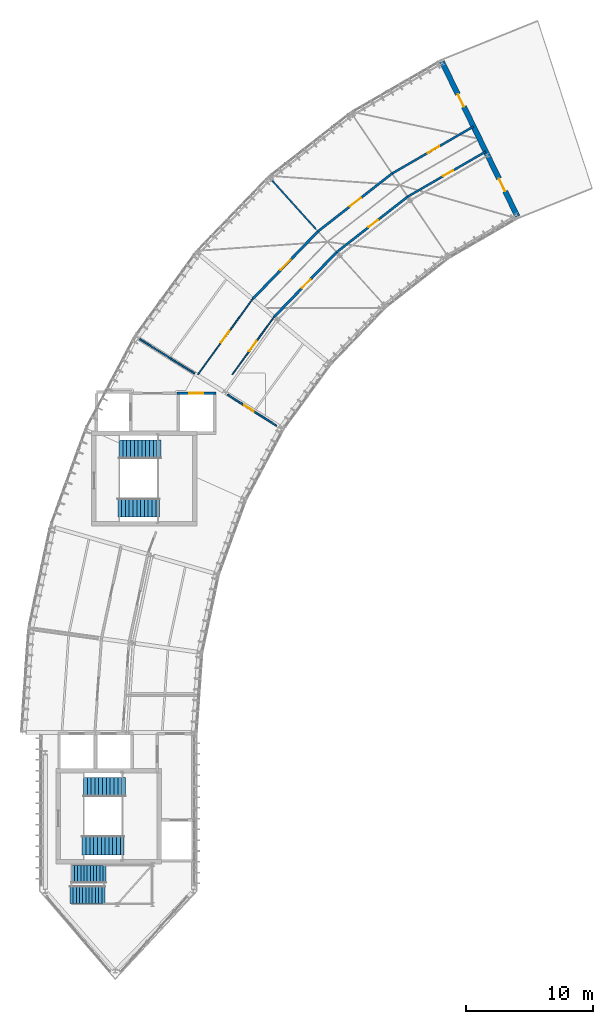
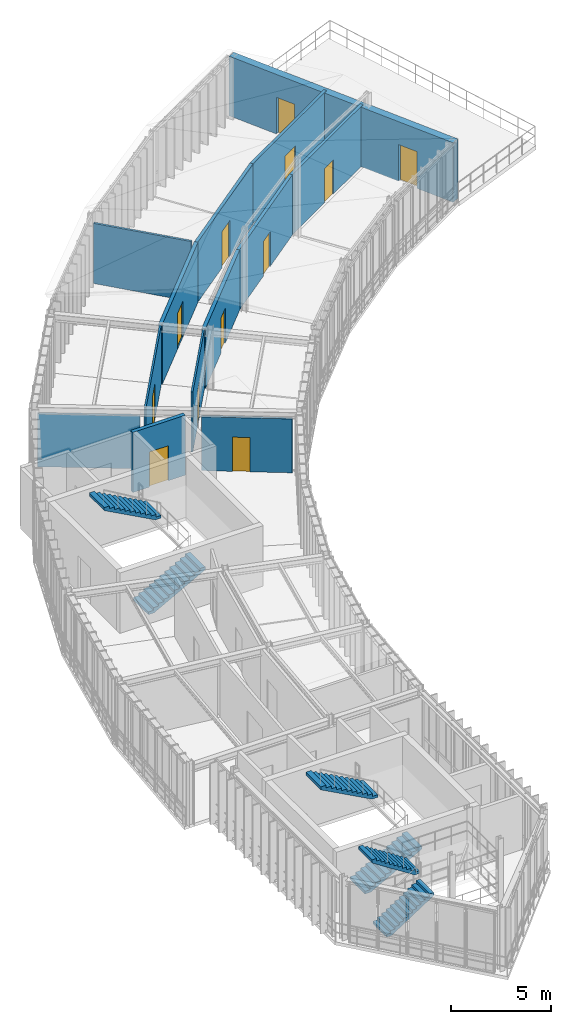
# One storey, part 19 of 25: 13 walls, 12 doors, 6 stair flights, 12 openings, 3 elements without a shape of their own.
"""IFC4 building model written with IfcOpenShell, lengths in metres."""

import ifcopenshell
import ifcopenshell.guid

model = None  # the IFC model being written
_history = None  # IfcOwnerHistory: only IFC2X3 demands one
_inside = {}  # id of a spatial element -> (the spatial element, [elements in it])
_under = {}  # id of a project, library or spatial element -> (it, [spatial elements below it])
_declared = {}  # id of a project -> (the project, [libraries it declares])
_typed = {}  # id of a type object -> (the type object, [elements of that type])
_made_of = {}  # id of a material, layer set ... -> (it, [elements and type objects made of it])


def new_model(schema):
    """Start an empty IFC model of exactly this schema.

    Asked for "IFC4X3", IfcOpenShell would pick the latest addendum, in which some entities
    have other attributes; the version numbers below select the first issue.
    IFC2X3 requires an IfcOwnerHistory on every rooted entity: one is made here for all.
    """
    global model, _history
    if schema == "IFC4X3":
        model = ifcopenshell.file(schema_version=(4, 3, 0, 0))
    else:
        model = ifcopenshell.file(schema=schema)
    _inside.clear()
    _under.clear()
    _declared.clear()
    _typed.clear()
    _made_of.clear()
    _history = None
    if model.schema == "IFC2X3":
        org = make("IfcOrganization", Name="unknown")
        user = make(
            "IfcPersonAndOrganization",
            ThePerson=make("IfcPerson", FamilyName="unknown"),
            TheOrganization=org,
        )
        app = make(
            "IfcApplication",
            ApplicationDeveloper=org,
            Version="unknown",
            ApplicationFullName="unknown",
            ApplicationIdentifier="unknown",
        )
        _history = make(
            "IfcOwnerHistory",
            OwningUser=user,
            OwningApplication=app,
            ChangeAction="ADDED",
            CreationDate=0,
        )
    return model


def make(cls, **values):
    """One entity of the class cls with the attributes given. An attribute that is None is left unset."""
    return model.create_entity(
        cls, **{name: value for name, value in values.items() if value is not None}
    )


def rooted(cls, **values):
    """An entity with a GlobalId (a new one), such as an element, a storey or a relation."""
    return make(cls, GlobalId=ifcopenshell.guid.new(), OwnerHistory=_history, **values)


def si_unit(unit_type, name, prefix=None):
    """IfcSIUnit, for example si_unit("LENGTHUNIT", "METRE", prefix="MILLI")."""
    return make("IfcSIUnit", UnitType=unit_type, Prefix=prefix, Name=name)


def assignment(units):
    """IfcUnitAssignment: the units of a project."""
    return None if units is None else make("IfcUnitAssignment", Units=units)


def point(xyz):
    """IfcCartesianPoint."""
    return None if xyz is None else make("IfcCartesianPoint", Coordinates=xyz)


def direction(xyz):
    """IfcDirection."""
    return None if xyz is None else make("IfcDirection", DirectionRatios=xyz)


def frame(location, z_axis=None, x_axis=None):
    """IfcAxis2Placement3D, a coordinate frame: its origin and axes. An axis left out is left unset."""
    return make(
        "IfcAxis2Placement3D",
        Location=point(location),
        Axis=direction(z_axis),
        RefDirection=direction(x_axis),
    )


def frame_2d(location, x_axis=None):
    """IfcAxis2Placement2D, a coordinate frame in the plane: its origin and x axis."""
    return make(
        "IfcAxis2Placement2D", Location=point(location), RefDirection=direction(x_axis)
    )


def origin():
    """The frame at (0, 0, 0) with its axes left unset."""
    return frame((0.0, 0.0, 0.0))


def place(relative_to, where):
    """IfcLocalPlacement: puts the frame where relative to a parent placement (None: the world)."""
    return make(
        "IfcLocalPlacement", PlacementRelTo=relative_to, RelativePlacement=where
    )


def context(
    kind, dimensions, precision=None, world=None, true_north=None, identifier=None
):
    """IfcGeometricRepresentationContext, for example the 3D "Model" context."""
    return make(
        "IfcGeometricRepresentationContext",
        ContextIdentifier=identifier,
        ContextType=kind,
        CoordinateSpaceDimension=dimensions,
        Precision=precision,
        WorldCoordinateSystem=world,
        TrueNorth=true_north,
    )


def subcontext(parent, identifier, kind, view, scale=None):
    """IfcGeometricRepresentationSubContext, for example "Body" below "Model"."""
    return make(
        "IfcGeometricRepresentationSubContext",
        ContextIdentifier=identifier,
        ContextType=kind,
        ParentContext=parent,
        TargetScale=scale,
        TargetView=view,
    )


def project(units=None, contexts=None):
    """IfcProject with its units and contexts."""
    return rooted(
        "IfcProject",
        Name="project",
        RepresentationContexts=contexts,
        UnitsInContext=assignment(units),
    )


def spatial(cls, under=None, at=None, **own):
    """A site, building, storey or space (cls), placed at a placement, below another one or the project."""
    s = rooted(cls, ObjectPlacement=at, **own)
    if under is not None:
        _under.setdefault(under.id(), (under, []))[1].append(s)
    return s


def polyline(points):
    """IfcPolyline through the points."""
    return make("IfcPolyline", Points=[point(p) for p in points])


def profile(cls, at=None, kind="AREA", **sizes):
    """A parametric profile (cls). Its sizes go by their IFC names, for example OverallWidth=200.0."""
    return make(cls, ProfileType=kind, Position=at, **sizes)


def rectangle(**sizes):
    """IfcRectangleProfileDef."""
    return profile("IfcRectangleProfileDef", **sizes)


def outline(outer, holes=None, kind="AREA"):
    """IfcArbitraryClosedProfileDef: a profile drawn as a closed curve; with holes, ...WithVoids."""
    if holes is None:
        return make("IfcArbitraryClosedProfileDef", ProfileType=kind, OuterCurve=outer)
    return make(
        "IfcArbitraryProfileDefWithVoids",
        ProfileType=kind,
        OuterCurve=outer,
        InnerCurves=holes,
    )


def extrude(swept, where, along, depth):
    """IfcExtrudedAreaSolid: the profile swept, set in the frame where, extruded along a direction by depth."""
    return make(
        "IfcExtrudedAreaSolid",
        SweptArea=swept,
        Position=where,
        ExtrudedDirection=direction(along),
        Depth=depth,
    )


def shape(context_of_items, identifier, shape_type, items):
    """IfcShapeRepresentation: the items that make up one representation, for example the "Body"."""
    return make(
        "IfcShapeRepresentation",
        ContextOfItems=context_of_items,
        RepresentationIdentifier=identifier,
        RepresentationType=shape_type,
        Items=items,
    )


def material(Name=None, Category=None):
    """IfcMaterial."""
    return make("IfcMaterial", Name=Name, Category=Category)


def layer(
    of_material, thickness, ventilated=None, Name=None, Category=None, Priority=None
):
    """IfcMaterialLayer: one layer of a wall or slab, of a material (None: an air gap)."""
    return make(
        "IfcMaterialLayer",
        Material=of_material,
        LayerThickness=thickness,
        IsVentilated=ventilated,
        Name=Name,
        Category=Category,
        Priority=Priority,
    )


def layer_set(layers, Name=None):
    """IfcMaterialLayerSet."""
    return make("IfcMaterialLayerSet", MaterialLayers=layers, LayerSetName=Name)


def made_of(thing, what):
    """Note that an element or type object is made of a material, layer set ...; save() writes the relation."""
    if what is not None:
        _made_of.setdefault(what.id(), (what, []))[1].append(thing)
    return thing


def type_object(cls, material=None, **own):
    """A type object (cls), such as IfcWallType, which elements share."""
    return made_of(rooted(cls, **own), material)


def element(
    cls,
    number,
    at=None,
    inside=None,
    cuts=None,
    type_object=None,
    material=None,
    context=None,
    identifier="Body",
    shape_type=None,
    held_by="IfcProductDefinitionShape",
    body=None,
    shapes=None,
    **own,
):
    """One element of the class cls, such as IfcWall. Its Tag is "e" and its number.

    at: its placement. inside: the storey or other place that contains it. cuts: it is an
    opening in that element (IfcRelVoidsElement). A single representation is given by context,
    identifier, shape_type and body (its items); several are given by shapes. held_by: the class
    of the entity that holds the representations. save() writes the other relations.
    """
    e = rooted(cls, Tag="e%d" % number, ObjectPlacement=at, **own)
    if body is not None:
        shapes = [shape(context, identifier, shape_type, body)]
    if shapes is not None:
        e.Representation = make(held_by, Representations=shapes)
    if inside is not None:
        _inside.setdefault(inside.id(), (inside, []))[1].append(e)
    if cuts is not None:
        rooted(
            "IfcRelVoidsElement", RelatingBuildingElement=cuts, RelatedOpeningElement=e
        )
    if type_object is not None:
        _typed.setdefault(type_object.id(), (type_object, []))[1].append(e)
    return made_of(e, material)


def fill(opening, filler):
    """IfcRelFillsElement: the door or window that sits in an opening."""
    return rooted(
        "IfcRelFillsElement",
        RelatingOpeningElement=opening,
        RelatedBuildingElement=filler,
    )


def aggregate(whole, parts):
    """IfcRelAggregates: a whole, such as a stair, and the parts it consists of."""
    return rooted("IfcRelAggregates", RelatingObject=whole, RelatedObjects=parts)


def save(model, path):
    """Write the relations noted so far, then the file.

    IfcRelAggregates (storeys below a building ...), IfcRelContainedInSpatialStructure (elements
    in a storey), IfcRelDefinesByType, IfcRelAssociatesMaterial and IfcRelDeclares: one each for
    every whole, place, type object, material and project.
    """
    for whole, parts in _under.values():
        aggregate(whole, parts)
    for where, things in _inside.values():
        rooted(
            "IfcRelContainedInSpatialStructure",
            RelatedElements=things,
            RelatingStructure=where,
        )
    for kind, things in _typed.values():
        rooted("IfcRelDefinesByType", RelatedObjects=things, RelatingType=kind)
    for what, things in _made_of.values():
        rooted("IfcRelAssociatesMaterial", RelatedObjects=things, RelatingMaterial=what)
    for by, libraries in _declared.values():
        rooted("IfcRelDeclares", RelatingContext=by, RelatedDefinitions=libraries)
    model.write(path)


model = new_model("IFC4")

# Units and contexts
model_context = context("Model", 3, precision=1e-05, world=origin(), true_north=direction((0.0, 1.0)))
body_context = subcontext(model_context, "Body", "Model", "MODEL_VIEW")
ifc_project = project(units=[si_unit("LENGTHUNIT", "METRE"), si_unit("AREAUNIT", "SQUARE_METRE"), si_unit("VOLUMEUNIT", "CUBIC_METRE"), si_unit("PLANEANGLEUNIT", "RADIAN"), si_unit("MASSUNIT", "GRAM", prefix="KILO"), si_unit("THERMODYNAMICTEMPERATUREUNIT", "KELVIN"), si_unit("POWERUNIT", "WATT")], contexts=[model_context])

# Site, building, storey
site_placement = place(None, origin())
site = spatial("IfcSite", under=ifc_project, at=site_placement, CompositionType="ELEMENT")
building_placement = place(site_placement, origin())
building = spatial("IfcBuilding", under=site, at=building_placement, Name="Solvatero Civic Police Headquarters", CompositionType="ELEMENT")
storey_placement = place(building_placement, frame((0.0, 0.0, 25.5)))
storey = spatial("IfcBuildingStorey", under=building, at=storey_placement, Name="L06", CompositionType="ELEMENT", Elevation=25.5)

# Wall, openings, doors
ifc_material_1 = material(Name="Cream Limestone Ashlar", Category="masonry")
ifc_layer_1 = layer(ifc_material_1, 0.419921875)
ifc_layer_set_1 = layer_set([ifc_layer_1], Name="Cream Limestone Ashlar")
wall_type_1 = type_object("IfcWallType", Name="WL-EXT-LIME-420", PredefinedType="SOLIDWALL", material=ifc_layer_set_1)
wall_1_placement = place(storey_placement, frame((74.177001953125, 66.6435546875, 0.0), z_axis=(0.0, 0.0, 1.0), x_axis=(-0.438391351702, 0.898784191423, 0.0)))
wall_1 = element("IfcWall", 1, at=wall_1_placement, inside=storey, type_object=wall_type_1, Name="Exterior Wall WLE-L06-ARC-END-E", PredefinedType="SOLIDWALL", context=body_context, shape_type="SweptSolid", body=[
    extrude(rectangle(XDim=13.56005859375, YDim=0.419921875, at=frame_2d((6.780029296875, 0.0))), origin(), (0.0, 0.0, 1.0), 3.64990234375),
])
opening_1_placement = place(wall_1_placement, frame((3.300048828125, 0.0, 0.0), z_axis=(0.0, 0.0, 1.0), x_axis=(-1.0, 0.0, 0.0)))
opening_1 = element("IfcOpeningElement", 2, at=opening_1_placement, cuts=wall_1, Name="Opening ED-02", PredefinedType="OPENING", context=body_context, shape_type="SweptSolid", body=[
    extrude(rectangle(XDim=1.10009765625, YDim=2.25, at=frame_2d((0.550048828125, 1.125))), frame((0.0, 0.219970703125, 0.0), z_axis=(0.0, -1.0, 0.0), x_axis=(1.0, 0.0, 0.0)), (0.0, 0.0, 1.0), 0.43994140625),
])
opening_2_placement = place(wall_1_placement, frame((10.7001953125, 0.0, 0.0), z_axis=(0.0, 0.0, 1.0), x_axis=(-1.0, 0.0, 0.0)))
opening_2 = element("IfcOpeningElement", 3, at=opening_2_placement, cuts=wall_1, Name="Opening ED-02", PredefinedType="OPENING", context=body_context, shape_type="SweptSolid", body=[
    extrude(rectangle(XDim=1.10009765625, YDim=2.25, at=frame_2d((0.550048828125, 1.125))), frame((0.0, 0.219970703125, 0.0), z_axis=(0.0, -1.0, 0.0), x_axis=(1.0, 0.0, 0.0)), (0.0, 0.0, 1.0), 0.43994140625),
])
ifc_material_2 = material(Name="Anodized Bronze Aluminium and Laminated Glass", Category="aluminium")
door_type_1 = type_object("IfcDoorType", Name="DR-EXT-110x225", OperationType="NOTDEFINED", PredefinedType="DOOR", material=ifc_material_2)
door_1_placement = place(opening_1_placement, origin())
door_1 = element("IfcDoor", 4, at=door_1_placement, inside=storey, type_object=door_type_1, Name="Exterior Door DR-L06-TRGARC-1", OperationType="SINGLE_SWING_LEFT", OverallHeight=2.25, OverallWidth=1.10009765625, PredefinedType="DOOR", context=body_context, shape_type="SweptSolid", body=[
    extrude(rectangle(XDim=1.10009765625, YDim=2.25, at=frame_2d((0.550048828125, 1.125))), frame((0.0, 0.02490234375, 0.0), z_axis=(0.0, -1.0, 0.0), x_axis=(1.0, 0.0, 0.0)), (0.0, 0.0, 1.0), 0.050048828125),
])
fill(opening_1, door_1)
door_2_placement = place(opening_2_placement, origin())
door_2 = element("IfcDoor", 5, at=door_2_placement, inside=storey, type_object=door_type_1, Name="Exterior Door DR-L06-TRGARC-2", OperationType="SINGLE_SWING_RIGHT", OverallHeight=2.25, OverallWidth=1.10009765625, PredefinedType="DOOR", context=body_context, shape_type="SweptSolid", body=[
    extrude(rectangle(XDim=1.10009765625, YDim=2.25, at=frame_2d((0.550048828125, 1.125))), frame((0.0, 0.02490234375, 0.0), z_axis=(0.0, -1.0, 0.0), x_axis=(1.0, 0.0, 0.0)), (0.0, 0.0, 1.0), 0.050048828125),
])
fill(opening_2, door_2)

# Wall, opening, door
ifc_material_3 = material(Name="Gypsum Acoustic Stud", Category="gypsum")
ifc_layer_2 = layer(ifc_material_3, 0.10009765625)
ifc_layer_set_2 = layer_set([ifc_layer_2], Name="Gypsum Acoustic Stud")
wall_type_2 = type_object("IfcWallType", Name="WL-PTN-100", PredefinedType="PARTITIONING", material=ifc_layer_set_2)
wall_2_placement = place(storey_placement, frame((55.00830078125, 58.718017578125, 0.0), z_axis=(0.0, 0.0, 1.0), x_axis=(-0.587773920785, -0.809025227076, 0.0)))
wall_2 = element("IfcWall", 6, at=wall_2_placement, inside=storey, type_object=wall_type_2, Name="Interior Partition WLP-L06-ARC-CIN-B08", PredefinedType="PARTITIONING", context=body_context, shape_type="SweptSolid", body=[
    extrude(rectangle(XDim=5.58447265625, YDim=0.10009765625, at=frame_2d((2.792236328125, 0.0))), origin(), (0.0, 0.0, 1.0), 3.679931640625),
])
opening_3_placement = place(wall_2_placement, frame((2.344970703125, 0.0, 0.0)))
opening_3 = element("IfcOpeningElement", 7, at=opening_3_placement, cuts=wall_2, Name="Opening ID-05", PredefinedType="OPENING", context=body_context, shape_type="SweptSolid", body=[
    extrude(rectangle(XDim=0.97998046875, YDim=2.159912109375, at=frame_2d((0.489990234375, 1.080078125))), frame((0.0, 0.06005859375, 0.0), z_axis=(0.0, -1.0, 0.0), x_axis=(1.0, 0.0, 0.0)), (0.0, 0.0, 1.0), 0.1201171875),
])
ifc_material_4 = material(Name="Powder-Coated Steel", Category="steel")
door_type_2 = type_object("IfcDoorType", Name="DR-OFF-098x216", OperationType="NOTDEFINED", PredefinedType="DOOR", material=ifc_material_4)
door_3_placement = place(opening_3_placement, origin())
door_3 = element("IfcDoor", 8, at=door_3_placement, inside=storey, type_object=door_type_2, Name="Interior Door DR-L06-ARC-IN-B08", OperationType="SINGLE_SWING_LEFT", OverallHeight=2.159912109375, OverallWidth=0.97998046875, PredefinedType="DOOR", context=body_context, shape_type="SweptSolid", body=[
    extrude(rectangle(XDim=0.97998046875, YDim=2.159912109375, at=frame_2d((0.489990234375, 1.080078125))), frame((0.0, 0.02490234375, 0.0), z_axis=(0.0, -1.0, 0.0), x_axis=(1.0, 0.0, 0.0)), (0.0, 0.0, 1.0), 0.050048828125),
])
fill(opening_3, door_3)

wall_3_placement = place(storey_placement, frame((53.322998046875, 60.132080078125, 0.0), z_axis=(0.0, 0.0, 1.0), x_axis=(-0.587773694682, -0.809025391344, 0.0)))
wall_3 = element("IfcWall", 9, at=wall_3_placement, inside=storey, type_object=wall_type_2, Name="Interior Partition WLP-L06-ARC-COUT-B08", PredefinedType="PARTITIONING", context=body_context, shape_type="SweptSolid", body=[
    extrude(rectangle(XDim=7.33251953125, YDim=0.10009765625, at=frame_2d((3.666259765625, 0.0))), origin(), (0.0, 0.0, 1.0), 3.679931640625),
])
opening_4_placement = place(wall_3_placement, frame((3.080078125, 0.0, 0.0)))
opening_4 = element("IfcOpeningElement", 10, at=opening_4_placement, cuts=wall_3, Name="Opening ID-10", PredefinedType="OPENING", context=body_context, shape_type="SweptSolid", body=[
    extrude(rectangle(XDim=1.14990234375, YDim=2.199951171875, at=frame_2d((0.574951171875, 1.10009765625))), frame((0.0, 0.06005859375, 0.0), z_axis=(0.0, -1.0, 0.0), x_axis=(1.0, 0.0, 0.0)), (0.0, 0.0, 1.0), 0.1201171875),
])
door_type_3 = type_object("IfcDoorType", Name="DR-COR-115x220", OperationType="NOTDEFINED", PredefinedType="DOOR", material=ifc_material_4)
door_4_placement = place(opening_4_placement, origin())
door_4 = element("IfcDoor", 11, at=door_4_placement, inside=storey, type_object=door_type_3, Name="Interior Door DR-L06-ARC-OUT-B08", OperationType="SINGLE_SWING_RIGHT", OverallHeight=2.199951171875, OverallWidth=1.14990234375, PredefinedType="DOOR", context=body_context, shape_type="SweptSolid", body=[
    extrude(rectangle(XDim=1.14990234375, YDim=2.199951171875, at=frame_2d((0.574951171875, 1.10009765625))), frame((0.0, 0.02490234375, 0.0), z_axis=(0.0, -1.0, 0.0), x_axis=(1.0, 0.0, 0.0)), (0.0, 0.0, 1.0), 0.050048828125),
])
fill(opening_4, door_4)

# Walls
ifc_layer_3 = layer(ifc_material_3, 0.1201171875)
ifc_layer_set_3 = layer_set([ifc_layer_3], Name="Gypsum Acoustic Stud")
wall_type_3 = type_object("IfcWallType", Name="WL-PTN-120", PredefinedType="PARTITIONING", material=ifc_layer_set_3)
wall_4_placement = place(storey_placement, frame((58.302001953125, 65.646728515625, 0.0), z_axis=(0.0, 0.0, 1.0), x_axis=(-0.669114002905, 0.743159774959, 0.0)))
element("IfcWall", 12, at=wall_4_placement, inside=storey, type_object=wall_type_3, Name="Interior Partition WLP-L06-ARC-RAD-B06", PredefinedType="PARTITIONING", context=body_context, shape_type="SweptSolid", body=[
    extrude(rectangle(XDim=5.150146484375, YDim=0.1201171875, at=frame_2d((2.5751953125, 0.0))), origin(), (0.0, 0.0, 1.0), 3.679931640625),
])
wall_5_placement = place(storey_placement, frame((48.756591796875, 54.271240234375, 0.0), z_axis=(0.0, 0.0, 1.0), x_axis=(-0.848054228257, 0.529909450694, 0.0)))
element("IfcWall", 13, at=wall_5_placement, inside=storey, type_object=wall_type_3, Name="Interior Partition WLP-L06-ARC-RAD-B08", PredefinedType="PARTITIONING", context=body_context, shape_type="SweptSolid", body=[
    extrude(rectangle(XDim=5.14990234375, YDim=0.1201171875, at=frame_2d((2.574951171875, 0.0))), origin(), (0.0, 0.0, 1.0), 3.25),
])

# Wall, opening, door
ifc_material_5 = material(Name="Gypsum Double-Stud", Category="gypsum")
ifc_layer_4 = layer(ifc_material_5, 0.135009765625)
ifc_layer_set_4 = layer_set([ifc_layer_4], Name="Gypsum Double-Stud")
wall_type_4 = type_object("IfcWallType", Name="WL-PTN-135", PredefinedType="PARTITIONING", material=ifc_layer_set_4)
wall_6_placement = place(storey_placement, frame((51.35009765625, 52.60009765625, 0.0), z_axis=(0.0, 0.0, 1.0), x_axis=(0.84363284859, -0.536920493909, 0.0)))
wall_6 = element("IfcWall", 14, at=wall_6_placement, inside=storey, type_object=wall_type_4, Name="Interior Partition WLP-L06-ARC-CIN-B09C", PredefinedType="PARTITIONING", context=body_context, shape_type="SweptSolid", body=[
    extrude(rectangle(XDim=4.5634765625, YDim=0.135009765625, at=frame_2d((2.28173828125, 0.0))), origin(), (0.0, 0.0, 1.0), 3.300048828125),
])
opening_5_placement = place(wall_6_placement, frame((1.550048828125, 0.0, 0.0)))
opening_5 = element("IfcOpeningElement", 15, at=opening_5_placement, cuts=wall_6, Name="Opening ID-02", PredefinedType="OPENING", context=body_context, shape_type="SweptSolid", body=[
    extrude(rectangle(XDim=0.89990234375, YDim=2.10009765625, at=frame_2d((0.449951171875, 1.050048828125))), frame((0.0, 0.077392578125, 0.0), z_axis=(0.0, -1.0, 0.0), x_axis=(1.0, 0.0, 0.0)), (0.0, 0.0, 1.0), 0.155029296875),
])
ifc_material_6 = material(Name="Acoustic Oak Timber Veneer", Category="wood")
door_type_4 = type_object("IfcDoorType", Name="DR-OFF-090x210", OperationType="NOTDEFINED", PredefinedType="DOOR", material=ifc_material_6)
door_5_placement = place(opening_5_placement, origin())
door_5 = element("IfcDoor", 16, at=door_5_placement, inside=storey, type_object=door_type_4, Name="Interior Door DR-L06-ARC-IN-B09", OperationType="SINGLE_SWING_RIGHT", OverallHeight=2.10009765625, OverallWidth=0.89990234375, PredefinedType="DOOR", context=body_context, shape_type="SweptSolid", body=[
    extrude(rectangle(XDim=0.89990234375, YDim=2.10009765625, at=frame_2d((0.449951171875, 1.050048828125))), frame((0.0, 0.02490234375, 0.0), z_axis=(0.0, -1.0, 0.0), x_axis=(1.0, 0.0, 0.0)), (0.0, 0.0, 1.0), 0.050048828125),
])
fill(opening_5, door_5)

ifc_material_7 = material(Name="Concrete Blockwork", Category="masonry")
ifc_layer_5 = layer(ifc_material_7, 0.1650390625)
ifc_layer_set_5 = layer_set([ifc_layer_5], Name="Concrete Blockwork")
wall_type_5 = type_object("IfcWallType", Name="WL-PTN-165", PredefinedType="PARTITIONING", material=ifc_layer_set_5)
wall_7_placement = place(storey_placement, frame((71.68701171875, 71.74853515625, 0.0), z_axis=(0.0, 0.0, 1.0), x_axis=(-0.866032151687, -0.499988312107, 0.0)))
wall_7 = element("IfcWall", 17, at=wall_7_placement, inside=storey, type_object=wall_type_5, Name="Interior Partition WLP-L06-ARC-CIN-B05", PredefinedType="PARTITIONING", context=body_context, shape_type="SweptSolid", body=[
    extrude(rectangle(XDim=7.101318359375, YDim=0.1650390625, at=frame_2d((3.55078125, 0.0))), origin(), (0.0, 0.0, 1.0), 3.679931640625),
])
opening_6_placement = place(wall_7_placement, frame((2.98193359375, 0.0, 0.0)))
opening_6 = element("IfcOpeningElement", 18, at=opening_6_placement, cuts=wall_7, Name="Opening ID-02", PredefinedType="OPENING", context=body_context, shape_type="SweptSolid", body=[
    extrude(rectangle(XDim=0.89990234375, YDim=2.10009765625, at=frame_2d((0.449951171875, 1.050048828125))), frame((0.0, 0.092529296875, 0.0), z_axis=(0.0, -1.0, 0.0), x_axis=(1.0, 0.0, 0.0)), (0.0, 0.0, 1.0), 0.18505859375),
])
door_6_placement = place(opening_6_placement, origin())
door_6 = element("IfcDoor", 19, at=door_6_placement, inside=storey, type_object=door_type_4, Name="Interior Door DR-L06-ARC-IN-B05", OperationType="SINGLE_SWING_LEFT", OverallHeight=2.10009765625, OverallWidth=0.89990234375, PredefinedType="DOOR", context=body_context, shape_type="SweptSolid", body=[
    extrude(rectangle(XDim=0.89990234375, YDim=2.10009765625, at=frame_2d((0.449951171875, 1.050048828125))), frame((0.0, 0.02490234375, 0.0), z_axis=(0.0, -1.0, 0.0), x_axis=(1.0, 0.0, 0.0)), (0.0, 0.0, 1.0), 0.050048828125),
])
fill(opening_6, door_6)

wall_8_placement = place(storey_placement, frame((70.722412109375, 73.72607421875, 0.0), z_axis=(0.0, 0.0, 1.0), x_axis=(-0.866019843608, -0.500009630384, 0.0)))
wall_8 = element("IfcWall", 20, at=wall_8_placement, inside=storey, type_object=wall_type_5, Name="Interior Partition WLP-L06-ARC-COUT-B05", PredefinedType="PARTITIONING", context=body_context, shape_type="SweptSolid", body=[
    extrude(rectangle(XDim=7.407958984375, YDim=0.1650390625, at=frame_2d((3.7041015625, 0.0))), origin(), (0.0, 0.0, 1.0), 3.679931640625),
])
opening_7_placement = place(wall_8_placement, frame((3.111083984375, 0.0, 0.0)))
opening_7 = element("IfcOpeningElement", 21, at=opening_7_placement, cuts=wall_8, Name="Opening ID-07", PredefinedType="OPENING", context=body_context, shape_type="SweptSolid", body=[
    extrude(rectangle(XDim=1.050048828125, YDim=2.199951171875, at=frame_2d((0.52490234375, 1.10009765625))), frame((0.0, 0.092529296875, 0.0), z_axis=(0.0, -1.0, 0.0), x_axis=(1.0, 0.0, 0.0)), (0.0, 0.0, 1.0), 0.18505859375),
])
door_type_5 = type_object("IfcDoorType", Name="DR-LAB-105x220", OperationType="NOTDEFINED", PredefinedType="DOOR", material=ifc_material_4)
door_7_placement = place(opening_7_placement, origin())
door_7 = element("IfcDoor", 22, at=door_7_placement, inside=storey, type_object=door_type_5, Name="Interior Door DR-L06-ARC-OUT-B05", OperationType="SINGLE_SWING_RIGHT", OverallHeight=2.199951171875, OverallWidth=1.050048828125, PredefinedType="DOOR", context=body_context, shape_type="SweptSolid", body=[
    extrude(rectangle(XDim=1.050048828125, YDim=2.199951171875, at=frame_2d((0.52490234375, 1.10009765625))), frame((0.0, 0.02490234375, 0.0), z_axis=(0.0, -1.0, 0.0), x_axis=(1.0, 0.0, 0.0)), (0.0, 0.0, 1.0), 0.050048828125),
])
fill(opening_7, door_7)

ifc_layer_6 = layer(ifc_material_7, 0.179931640625)
ifc_layer_set_6 = layer_set([ifc_layer_6], Name="Concrete Blockwork")
wall_type_6 = type_object("IfcWallType", Name="WL-PTN-180", PredefinedType="PARTITIONING", material=ifc_layer_set_6)
wall_9_placement = place(storey_placement, frame((65.537109375, 68.197998046875, 0.0), z_axis=(0.0, 0.0, 1.0), x_axis=(-0.788011863809, -0.615660054329, 0.0)))
wall_9 = element("IfcWall", 23, at=wall_9_placement, inside=storey, type_object=wall_type_6, Name="Interior Partition WLP-L06-ARC-CIN-B06", PredefinedType="PARTITIONING", context=body_context, shape_type="SweptSolid", body=[
    extrude(rectangle(XDim=7.10107421875, YDim=0.179931640625, at=frame_2d((3.550537109375, 0.0))), origin(), (0.0, 0.0, 1.0), 3.679931640625),
])
opening_8_placement = place(wall_9_placement, frame((2.98193359375, 0.0, 0.0)))
opening_8 = element("IfcOpeningElement", 24, at=opening_8_placement, cuts=wall_9, Name="Opening ID-03", PredefinedType="OPENING", context=body_context, shape_type="SweptSolid", body=[
    extrude(rectangle(XDim=0.919921875, YDim=2.1201171875, at=frame_2d((0.4599609375, 1.06005859375))), frame((0.0, 0.099853515625, 0.0), z_axis=(0.0, -1.0, 0.0), x_axis=(1.0, 0.0, 0.0)), (0.0, 0.0, 1.0), 0.199951171875),
])
door_type_6 = type_object("IfcDoorType", Name="DR-OFF-092x212", OperationType="NOTDEFINED", PredefinedType="DOOR", material=ifc_material_6)
door_8_placement = place(opening_8_placement, origin())
door_8 = element("IfcDoor", 25, at=door_8_placement, inside=storey, type_object=door_type_6, Name="Interior Door DR-L06-ARC-IN-B06", OperationType="SINGLE_SWING_LEFT", OverallHeight=2.1201171875, OverallWidth=0.919921875, PredefinedType="DOOR", context=body_context, shape_type="SweptSolid", body=[
    extrude(rectangle(XDim=0.919921875, YDim=2.1201171875, at=frame_2d((0.4599609375, 1.06005859375))), frame((0.0, 0.02490234375, 0.0), z_axis=(0.0, -1.0, 0.0), x_axis=(1.0, 0.0, 0.0)), (0.0, 0.0, 1.0), 0.050048828125),
])
fill(opening_8, door_8)

wall_10_placement = place(storey_placement, frame((64.306884765625, 70.02197265625, 0.0), z_axis=(0.0, 0.0, 1.0), x_axis=(-0.787999891273, -0.615675378226, 0.0)))
wall_10 = element("IfcWall", 26, at=wall_10_placement, inside=storey, type_object=wall_type_6, Name="Interior Partition WLP-L06-ARC-COUT-B06", PredefinedType="PARTITIONING", context=body_context, shape_type="SweptSolid", body=[
    extrude(rectangle(XDim=7.408203125, YDim=0.179931640625, at=frame_2d((3.7041015625, 0.0))), origin(), (0.0, 0.0, 1.0), 3.679931640625),
])
opening_9_placement = place(wall_10_placement, frame((3.111083984375, 0.0, 0.0)))
opening_9 = element("IfcOpeningElement", 27, at=opening_9_placement, cuts=wall_10, Name="Opening ID-08", PredefinedType="OPENING", context=body_context, shape_type="SweptSolid", body=[
    extrude(rectangle(XDim=1.080078125, YDim=2.219970703125, at=frame_2d((0.5400390625, 1.10986328125))), frame((0.0, 0.099853515625, 0.0), z_axis=(0.0, -1.0, 0.0), x_axis=(1.0, 0.0, 0.0)), (0.0, 0.0, 1.0), 0.199951171875),
])
door_type_7 = type_object("IfcDoorType", Name="DR-LAB-108x222", OperationType="NOTDEFINED", PredefinedType="DOOR", material=ifc_material_4)
door_9_placement = place(opening_9_placement, origin())
door_9 = element("IfcDoor", 28, at=door_9_placement, inside=storey, type_object=door_type_7, Name="Interior Door DR-L06-ARC-OUT-B06", OperationType="SINGLE_SWING_RIGHT", OverallHeight=2.219970703125, OverallWidth=1.080078125, PredefinedType="DOOR", context=body_context, shape_type="SweptSolid", body=[
    extrude(rectangle(XDim=1.080078125, YDim=2.219970703125, at=frame_2d((0.5400390625, 1.10986328125))), frame((0.0, 0.02490234375, 0.0), z_axis=(0.0, -1.0, 0.0), x_axis=(1.0, 0.0, 0.0)), (0.0, 0.0, 1.0), 0.050048828125),
])
fill(opening_9, door_9)

ifc_layer_7 = layer(ifc_material_7, 0.199951171875)
ifc_layer_set_7 = layer_set([ifc_layer_7], Name="Concrete Blockwork")
wall_type_7 = type_object("IfcWallType", Name="WL-PTN-200", PredefinedType="PARTITIONING", material=ifc_layer_set_7)
wall_11_placement = place(storey_placement, frame((59.94140625, 63.826171875, 0.0), z_axis=(0.0, 0.0, 1.0), x_axis=(-0.694674270111, -0.719324445884, 0.0)))
wall_11 = element("IfcWall", 29, at=wall_11_placement, inside=storey, type_object=wall_type_7, Name="Interior Partition WLP-L06-ARC-CIN-B07", PredefinedType="PARTITIONING", context=body_context, shape_type="SweptSolid", body=[
    extrude(rectangle(XDim=7.101318359375, YDim=0.199951171875, at=frame_2d((3.55078125, 0.0))), origin(), (0.0, 0.0, 1.0), 3.679931640625),
])
opening_10_placement = place(wall_11_placement, frame((2.98291015625, 0.0, 0.0)))
opening_10 = element("IfcOpeningElement", 30, at=opening_10_placement, cuts=wall_11, Name="Opening ID-04", PredefinedType="OPENING", context=body_context, shape_type="SweptSolid", body=[
    extrude(rectangle(XDim=0.949951171875, YDim=2.14990234375, at=frame_2d((0.47509765625, 1.074951171875))), frame((0.0, 0.10986328125, 0.0), z_axis=(0.0, -1.0, 0.0), x_axis=(1.0, 0.0, 0.0)), (0.0, 0.0, 1.0), 0.219970703125),
])
door_type_8 = type_object("IfcDoorType", Name="DR-ACC-095x215", OperationType="NOTDEFINED", PredefinedType="DOOR", material=ifc_material_6)
door_10_placement = place(opening_10_placement, origin())
door_10 = element("IfcDoor", 31, at=door_10_placement, inside=storey, type_object=door_type_8, Name="Interior Door DR-L06-ARC-IN-B07", OperationType="SINGLE_SWING_LEFT", OverallHeight=2.14990234375, OverallWidth=0.949951171875, PredefinedType="DOOR", context=body_context, shape_type="SweptSolid", body=[
    extrude(rectangle(XDim=0.949951171875, YDim=2.14990234375, at=frame_2d((0.47509765625, 1.074951171875))), frame((0.0, 0.02490234375, 0.0), z_axis=(0.0, -1.0, 0.0), x_axis=(1.0, 0.0, 0.0)), (0.0, 0.0, 1.0), 0.050048828125),
])
fill(opening_10, door_10)

wall_12_placement = place(storey_placement, frame((58.46923828125, 65.4609375, 0.0), z_axis=(0.0, 0.0, 1.0), x_axis=(-0.694673907436, -0.71932479613, 0.0)))
wall_12 = element("IfcWall", 32, at=wall_12_placement, inside=storey, type_object=wall_type_7, Name="Interior Partition WLP-L06-ARC-COUT-B07", PredefinedType="PARTITIONING", context=body_context, shape_type="SweptSolid", body=[
    extrude(rectangle(XDim=7.408203125, YDim=0.199951171875, at=frame_2d((3.7041015625, 0.0))), origin(), (0.0, 0.0, 1.0), 3.679931640625),
])
opening_11_placement = place(wall_12_placement, frame((3.111083984375, 0.0, 0.0)))
opening_11 = element("IfcOpeningElement", 33, at=opening_11_placement, cuts=wall_12, Name="Opening ID-09", PredefinedType="OPENING", context=body_context, shape_type="SweptSolid", body=[
    extrude(rectangle(XDim=1.1201171875, YDim=2.199951171875, at=frame_2d((0.56005859375, 1.10009765625))), frame((0.0, 0.10986328125, 0.0), z_axis=(0.0, -1.0, 0.0), x_axis=(1.0, 0.0, 0.0)), (0.0, 0.0, 1.0), 0.219970703125),
])
door_type_9 = type_object("IfcDoorType", Name="DR-PLT-112x220", OperationType="NOTDEFINED", PredefinedType="DOOR", material=ifc_material_4)
door_11_placement = place(opening_11_placement, origin())
door_11 = element("IfcDoor", 34, at=door_11_placement, inside=storey, type_object=door_type_9, Name="Interior Door DR-L06-ARC-OUT-B07", OperationType="SINGLE_SWING_RIGHT", OverallHeight=2.199951171875, OverallWidth=1.1201171875, PredefinedType="DOOR", context=body_context, shape_type="SweptSolid", body=[
    extrude(rectangle(XDim=1.1201171875, YDim=2.199951171875, at=frame_2d((0.56005859375, 1.10009765625))), frame((0.0, 0.02490234375, 0.0), z_axis=(0.0, -1.0, 0.0), x_axis=(1.0, 0.0, 0.0)), (0.0, 0.0, 1.0), 0.050048828125),
])
fill(opening_11, door_11)

ifc_material_8 = material(Name="Concrete C35/45", Category="concrete")
ifc_layer_8 = layer(ifc_material_8, 0.219970703125)
ifc_layer_set_8 = layer_set([ifc_layer_8], Name="Concrete C35/45")
wall_type_8 = type_object("IfcWallType", Name="WL-SHF-220", PredefinedType="PARTITIONING", material=ifc_layer_set_8)
wall_13_placement = place(storey_placement, frame((47.3798828125, 52.7099609375, 0.0), z_axis=(0.0, 0.0, 1.0), x_axis=(1.0, 0.0, 0.0)))
wall_13 = element("IfcWall", 35, at=wall_13_placement, inside=storey, type_object=wall_type_8, Name="Lift Shaft Wall WLS-LP-03-L06-N", PredefinedType="PARTITIONING", context=body_context, shape_type="SweptSolid", body=[
    extrude(rectangle(XDim=3.0400390625, YDim=0.219970703125, at=frame_2d((1.52001953125, 0.0))), origin(), (0.0, 0.0, 1.0), 3.679931640625),
])
opening_12_placement = place(wall_13_placement, frame((0.969970703125, 0.0, 0.0)))
opening_12 = element("IfcOpeningElement", 36, at=opening_12_placement, cuts=wall_13, Name="Opening LD-01", PredefinedType="OPENING", context=body_context, shape_type="SweptSolid", body=[
    extrude(rectangle(XDim=1.10009765625, YDim=2.14990234375, at=frame_2d((0.550048828125, 1.074951171875))), frame((0.0, 0.119873046875, 0.0), z_axis=(0.0, -1.0, 0.0), x_axis=(1.0, 0.0, 0.0)), (0.0, 0.0, 1.0), 0.239990234375),
])
ifc_material_9 = material(Name="Stainless Steel Grade 316", Category="steel")
door_type_10 = type_object("IfcDoorType", Name="DR-LFT-110x215", OperationType="DOUBLE_DOOR_SLIDING", PredefinedType="DOOR", material=ifc_material_9)
door_12_placement = place(opening_12_placement, origin())
door_12 = element("IfcDoor", 37, at=door_12_placement, inside=storey, type_object=door_type_10, Name="Interior Door DR-LFT-LP-03-L06", OperationType="DOUBLE_DOOR_SLIDING", OverallHeight=2.14990234375, OverallWidth=1.10009765625, PredefinedType="DOOR", context=body_context, shape_type="SweptSolid", body=[
    extrude(rectangle(XDim=1.10009765625, YDim=2.14990234375, at=frame_2d((0.550048828125, 1.074951171875))), frame((0.0, 0.02490234375, 0.0), z_axis=(0.0, -1.0, 0.0), x_axis=(1.0, 0.0, 0.0)), (0.0, 0.0, 1.0), 0.050048828125),
])
fill(opening_12, door_12)

# Stair, stair flights
ifc_material_10 = material(Name="Precast concrete C40/50", Category="concrete")
stair_type_1 = type_object("IfcStairType", Name="STR-C150-390", PredefinedType="HALF_TURN_STAIR", material=ifc_material_10)
stair_1_placement = place(storey_placement, origin())
stair_1 = element("IfcStair", 38, at=stair_1_placement, inside=storey, type_object=stair_type_1, Name="Protected Exit Stair ST-C1 (L06 to L07)", PredefinedType="HALF_TURN_STAIR")
stair_flight_type_1 = type_object("IfcStairFlightType", Name="SFL-STR-C150-390", PredefinedType="STRAIGHT", material=ifc_material_10)
stair_flight_1_placement = place(storey_placement, frame((39.89990234375, 17.10009765625, 0.0), z_axis=(0.0, 0.0, 1.0), x_axis=(1.0, 0.0, 0.0)))
stair_flight_1 = element("IfcStairFlight", 39, at=stair_flight_1_placement, type_object=stair_flight_type_1, Name="ST-C1 L06 Flight 1", NumberOfRisers=12, NumberOfTreads=11, PredefinedType="STRAIGHT", RiserHeight=0.1625, TreadLength=0.3, context=body_context, shape_type="SweptSolid", body=[
    extrude(outline(polyline([(0.0, 0.0), (0.0, 0.16259765625), (0.300048828125, 0.16259765625), (0.300048828125, 0.324951171875), (0.60009765625, 0.324951171875), (0.60009765625, 0.487548828125), (0.89990234375, 0.487548828125), (0.89990234375, 0.64990234375), (1.199951171875, 0.64990234375), (1.199951171875, 0.8125), (1.5, 0.8125), (1.5, 0.97509765625), (1.800048828125, 0.97509765625), (1.800048828125, 1.137451171875), (2.10009765625, 1.137451171875), (2.10009765625, 1.300048828125), (2.39990234375, 1.300048828125), (2.39990234375, 1.46240234375), (2.699951171875, 1.46240234375), (2.699951171875, 1.625), (3.0, 1.625), (3.0, 1.78759765625), (3.300048828125, 1.78759765625), (3.300048828125, 1.949951171875), (3.300048828125, 1.605712890625), (0.335693359375, 0.0), (0.0, 0.0)])), frame((0.0, 0.75, 0.0), z_axis=(0.0, -1.0, 0.0), x_axis=(1.0, 0.0, 0.0)), (0.0, 0.0, 1.0), 1.5),
])
stair_flight_2_placement = place(storey_placement, frame((43.300048828125, 21.699951171875, 1.949951171875), z_axis=(0.0, 0.0, 1.0), x_axis=(-1.0, 0.0, 0.0)))
stair_flight_2 = element("IfcStairFlight", 40, at=stair_flight_2_placement, type_object=stair_flight_type_1, Name="ST-C1 L06 Flight 2", NumberOfRisers=12, NumberOfTreads=11, PredefinedType="STRAIGHT", RiserHeight=0.1625, TreadLength=0.3, context=body_context, shape_type="SweptSolid", body=[
    extrude(outline(polyline([(0.0, 0.0), (0.0, 0.16259765625), (0.300048828125, 0.16259765625), (0.300048828125, 0.324951171875), (0.60009765625, 0.324951171875), (0.60009765625, 0.487548828125), (0.89990234375, 0.487548828125), (0.89990234375, 0.64990234375), (1.199951171875, 0.64990234375), (1.199951171875, 0.8125), (1.5, 0.8125), (1.5, 0.97509765625), (1.800048828125, 0.97509765625), (1.800048828125, 1.137451171875), (2.10009765625, 1.137451171875), (2.10009765625, 1.300048828125), (2.39990234375, 1.300048828125), (2.39990234375, 1.46240234375), (2.699951171875, 1.46240234375), (2.699951171875, 1.625), (3.0, 1.625), (3.0, 1.78759765625), (3.300048828125, 1.78759765625), (3.300048828125, 1.949951171875), (3.300048828125, 1.605712890625), (0.335693359375, 0.0), (0.0, 0.0)])), frame((0.0, 0.75, 0.0), z_axis=(0.0, -1.0, 0.0), x_axis=(1.0, 0.0, 0.0)), (0.0, 0.0, 1.0), 1.5),
])
aggregate(stair_1, [stair_flight_1, stair_flight_2])

stair_2_placement = place(storey_placement, origin())
stair_2 = element("IfcStair", 41, at=stair_2_placement, inside=storey, type_object=stair_type_1, Name="Protected Exit Stair ST-C2 (L06 to L07)", PredefinedType="HALF_TURN_STAIR")
stair_flight_3_placement = place(storey_placement, frame((42.699951171875, 43.699951171875, 0.0), z_axis=(0.0, 0.0, 1.0), x_axis=(1.0, 0.0, 0.0)))
stair_flight_3 = element("IfcStairFlight", 42, at=stair_flight_3_placement, type_object=stair_flight_type_1, Name="ST-C2 L06 Flight 1", NumberOfRisers=12, NumberOfTreads=11, PredefinedType="STRAIGHT", RiserHeight=0.1625, TreadLength=0.3, context=body_context, shape_type="SweptSolid", body=[
    extrude(outline(polyline([(0.0, 0.0), (0.0, 0.16259765625), (0.300048828125, 0.16259765625), (0.300048828125, 0.324951171875), (0.60009765625, 0.324951171875), (0.60009765625, 0.487548828125), (0.89990234375, 0.487548828125), (0.89990234375, 0.64990234375), (1.199951171875, 0.64990234375), (1.199951171875, 0.8125), (1.5, 0.8125), (1.5, 0.97509765625), (1.800048828125, 0.97509765625), (1.800048828125, 1.137451171875), (2.10009765625, 1.137451171875), (2.10009765625, 1.300048828125), (2.39990234375, 1.300048828125), (2.39990234375, 1.46240234375), (2.699951171875, 1.46240234375), (2.699951171875, 1.625), (3.0, 1.625), (3.0, 1.78759765625), (3.300048828125, 1.78759765625), (3.300048828125, 1.949951171875), (3.300048828125, 1.605712890625), (0.335693359375, 0.0), (0.0, 0.0)])), frame((0.0, 0.75, 0.0), z_axis=(0.0, -1.0, 0.0), x_axis=(1.0, 0.0, 0.0)), (0.0, 0.0, 1.0), 1.5),
])
stair_flight_4_placement = place(storey_placement, frame((46.10009765625, 48.300048828125, 1.949951171875), z_axis=(0.0, 0.0, 1.0), x_axis=(-1.0, 0.0, 0.0)))
stair_flight_4 = element("IfcStairFlight", 43, at=stair_flight_4_placement, type_object=stair_flight_type_1, Name="ST-C2 L06 Flight 2", NumberOfRisers=12, NumberOfTreads=11, PredefinedType="STRAIGHT", RiserHeight=0.1625, TreadLength=0.3, context=body_context, shape_type="SweptSolid", body=[
    extrude(outline(polyline([(0.0, 0.0), (0.0, 0.16259765625), (0.300048828125, 0.16259765625), (0.300048828125, 0.324951171875), (0.60009765625, 0.324951171875), (0.60009765625, 0.487548828125), (0.89990234375, 0.487548828125), (0.89990234375, 0.64990234375), (1.199951171875, 0.64990234375), (1.199951171875, 0.8125), (1.5, 0.8125), (1.5, 0.97509765625), (1.800048828125, 0.97509765625), (1.800048828125, 1.137451171875), (2.10009765625, 1.137451171875), (2.10009765625, 1.300048828125), (2.39990234375, 1.300048828125), (2.39990234375, 1.46240234375), (2.699951171875, 1.46240234375), (2.699951171875, 1.625), (3.0, 1.625), (3.0, 1.78759765625), (3.300048828125, 1.78759765625), (3.300048828125, 1.949951171875), (3.300048828125, 1.605712890625), (0.335693359375, 0.0), (0.0, 0.0)])), frame((0.0, 0.75, 0.0), z_axis=(0.0, -1.0, 0.0), x_axis=(1.0, 0.0, 0.0)), (0.0, 0.0, 1.0), 1.5),
])
aggregate(stair_2, [stair_flight_3, stair_flight_4])

stair_type_2 = type_object("IfcStairType", Name="STR-PRW-390", PredefinedType="HALF_TURN_STAIR", material=ifc_material_10)
stair_3_placement = place(storey_placement, origin())
stair_3 = element("IfcStair", 44, at=stair_3_placement, inside=storey, type_object=stair_type_2, Name="Glazed Prow Ceremonial Stair (L06 to L07)", PredefinedType="HALF_TURN_STAIR")
stair_flight_type_2 = type_object("IfcStairFlightType", Name="SFL-STR-PRW-390", PredefinedType="STRAIGHT", material=ifc_material_10)
stair_flight_5_placement = place(storey_placement, frame((38.93994140625, 13.219970703125, 0.0), z_axis=(0.0, 0.0, 1.0), x_axis=(1.0, 0.0, 0.0)))
stair_flight_5 = element("IfcStairFlight", 45, at=stair_flight_5_placement, type_object=stair_flight_type_2, Name="ST-PRW L06 Flight 1", NumberOfRisers=12, NumberOfTreads=11, PredefinedType="STRAIGHT", RiserHeight=0.1625, TreadLength=0.25, context=body_context, shape_type="SweptSolid", body=[
    extrude(outline(polyline([(0.0, 0.0), (0.0, 0.16259765625), (0.25, 0.16259765625), (0.25, 0.324951171875), (0.5, 0.324951171875), (0.5, 0.487548828125), (0.75, 0.487548828125), (0.75, 0.64990234375), (1.0, 0.64990234375), (1.0, 0.8125), (1.25, 0.8125), (1.25, 0.97509765625), (1.5, 0.97509765625), (1.5, 1.137451171875), (1.75, 1.137451171875), (1.75, 1.300048828125), (2.0, 1.300048828125), (2.0, 1.46240234375), (2.25, 1.46240234375), (2.25, 1.625), (2.5, 1.625), (2.5, 1.78759765625), (2.75, 1.78759765625), (2.75, 1.949951171875), (2.75, 1.5966796875), (0.29345703125, 0.0), (0.0, 0.0)])), frame((0.0, 0.68017578125, 0.0), z_axis=(0.0, -1.0, 0.0), x_axis=(1.0, 0.0, 0.0)), (0.0, 0.0, 1.0), 1.360107421875),
])
stair_flight_6_placement = place(storey_placement, frame((41.7900390625, 14.820068359375, 1.949951171875), z_axis=(0.0, 0.0, 1.0), x_axis=(-1.0, 0.0, 0.0)))
stair_flight_6 = element("IfcStairFlight", 46, at=stair_flight_6_placement, type_object=stair_flight_type_2, Name="ST-PRW L06 Flight 2", NumberOfRisers=12, NumberOfTreads=11, PredefinedType="STRAIGHT", RiserHeight=0.1625, TreadLength=0.25, context=body_context, shape_type="SweptSolid", body=[
    extrude(outline(polyline([(0.0, 0.0), (0.0, 0.16259765625), (0.25, 0.16259765625), (0.25, 0.324951171875), (0.5, 0.324951171875), (0.5, 0.487548828125), (0.75, 0.487548828125), (0.75, 0.64990234375), (1.0, 0.64990234375), (1.0, 0.8125), (1.25, 0.8125), (1.25, 0.97509765625), (1.5, 0.97509765625), (1.5, 1.137451171875), (1.75, 1.137451171875), (1.75, 1.300048828125), (2.0, 1.300048828125), (2.0, 1.46240234375), (2.25, 1.46240234375), (2.25, 1.625), (2.5, 1.625), (2.5, 1.78759765625), (2.75, 1.78759765625), (2.75, 1.949951171875), (2.75, 1.5966796875), (0.29345703125, 0.0), (0.0, 0.0)])), frame((0.0, 0.68017578125, 0.0), z_axis=(0.0, -1.0, 0.0), x_axis=(1.0, 0.0, 0.0)), (0.0, 0.0, 1.0), 1.360107421875),
])
aggregate(stair_3, [stair_flight_5, stair_flight_6])

save(model, "model.ifc")
